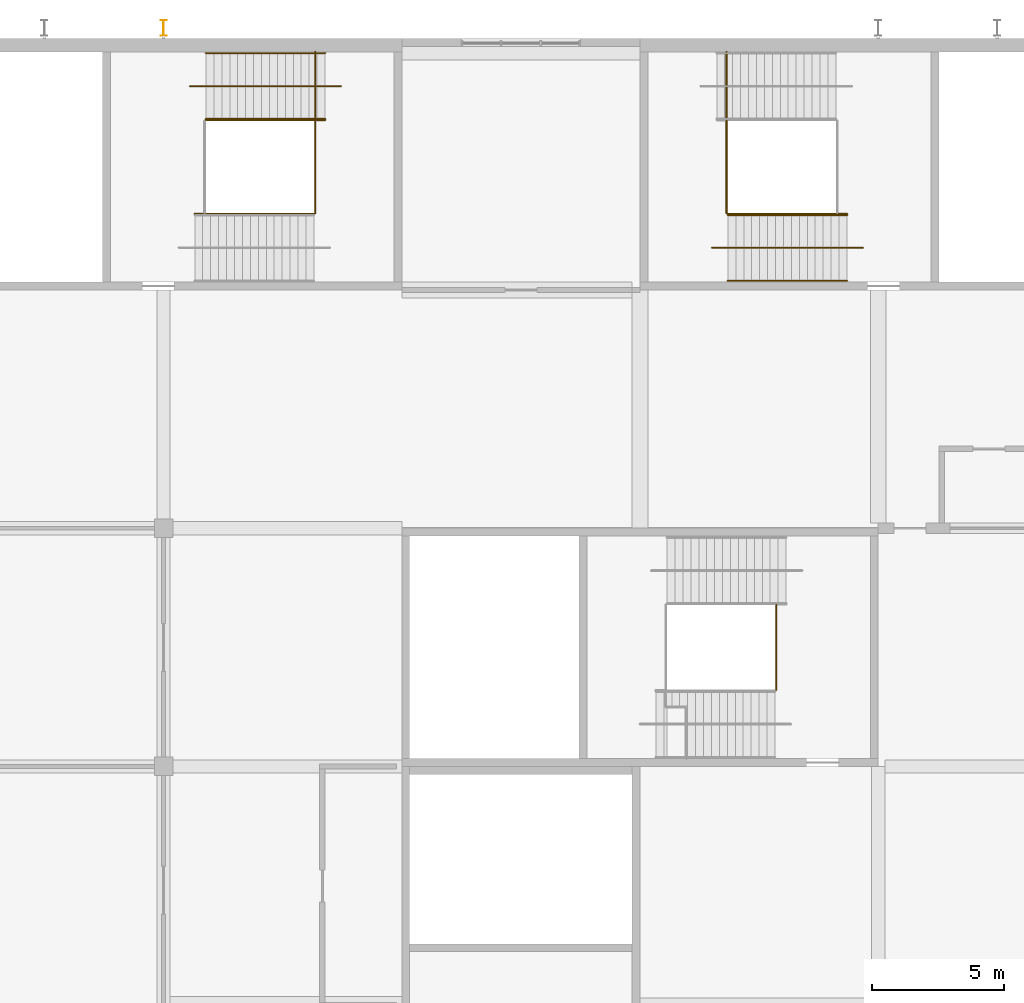
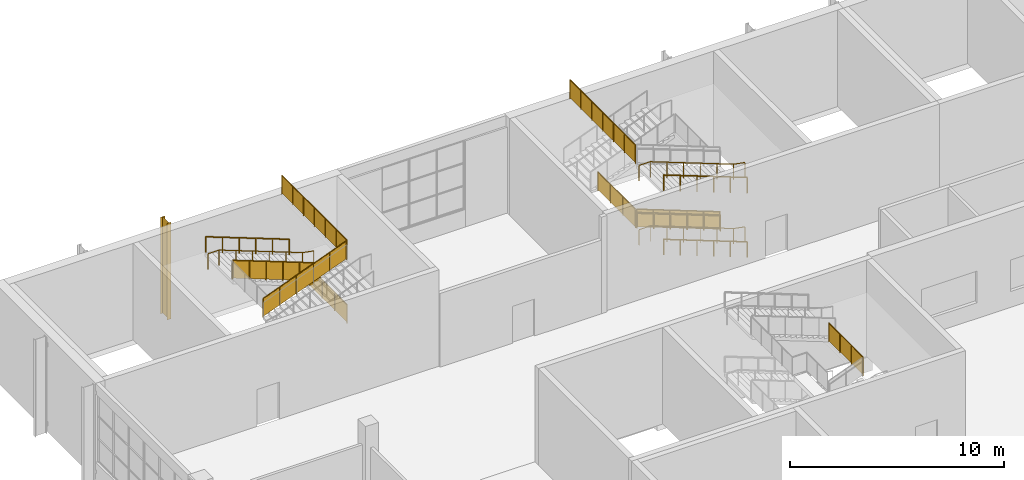
# One storey, part 72 of 84: 16 railings, 1 shading device.
"""IFC4 building model written with IfcOpenShell, lengths in metres."""

import ifcopenshell
import ifcopenshell.guid

model = None  # the IFC model being written
_history = None  # IfcOwnerHistory: only IFC2X3 demands one
_inside = {}  # id of a spatial element -> (the spatial element, [elements in it])
_under = {}  # id of a project, library or spatial element -> (it, [spatial elements below it])
_declared = {}  # id of a project -> (the project, [libraries it declares])
_typed = {}  # id of a type object -> (the type object, [elements of that type])
_made_of = {}  # id of a material, layer set ... -> (it, [elements and type objects made of it])


def new_model(schema):
    """Start an empty IFC model of exactly this schema.

    Asked for "IFC4X3", IfcOpenShell would pick the latest addendum, in which some entities
    have other attributes; the version numbers below select the first issue.
    IFC2X3 requires an IfcOwnerHistory on every rooted entity: one is made here for all.
    """
    global model, _history
    if schema == "IFC4X3":
        model = ifcopenshell.file(schema_version=(4, 3, 0, 0))
    else:
        model = ifcopenshell.file(schema=schema)
    _inside.clear()
    _under.clear()
    _declared.clear()
    _typed.clear()
    _made_of.clear()
    _history = None
    if model.schema == "IFC2X3":
        org = make("IfcOrganization", Name="unknown")
        user = make(
            "IfcPersonAndOrganization",
            ThePerson=make("IfcPerson", FamilyName="unknown"),
            TheOrganization=org,
        )
        app = make(
            "IfcApplication",
            ApplicationDeveloper=org,
            Version="unknown",
            ApplicationFullName="unknown",
            ApplicationIdentifier="unknown",
        )
        _history = make(
            "IfcOwnerHistory",
            OwningUser=user,
            OwningApplication=app,
            ChangeAction="ADDED",
            CreationDate=0,
        )
    return model


def make(cls, **values):
    """One entity of the class cls with the attributes given. An attribute that is None is left unset."""
    return model.create_entity(
        cls, **{name: value for name, value in values.items() if value is not None}
    )


def rooted(cls, **values):
    """An entity with a GlobalId (a new one), such as an element, a storey or a relation."""
    return make(cls, GlobalId=ifcopenshell.guid.new(), OwnerHistory=_history, **values)


def si_unit(unit_type, name, prefix=None):
    """IfcSIUnit, for example si_unit("LENGTHUNIT", "METRE", prefix="MILLI")."""
    return make("IfcSIUnit", UnitType=unit_type, Prefix=prefix, Name=name)


def assignment(units):
    """IfcUnitAssignment: the units of a project."""
    return None if units is None else make("IfcUnitAssignment", Units=units)


def point(xyz):
    """IfcCartesianPoint."""
    return None if xyz is None else make("IfcCartesianPoint", Coordinates=xyz)


def direction(xyz):
    """IfcDirection."""
    return None if xyz is None else make("IfcDirection", DirectionRatios=xyz)


def frame(location, z_axis=None, x_axis=None):
    """IfcAxis2Placement3D, a coordinate frame: its origin and axes. An axis left out is left unset."""
    return make(
        "IfcAxis2Placement3D",
        Location=point(location),
        Axis=direction(z_axis),
        RefDirection=direction(x_axis),
    )


def frame_2d(location, x_axis=None):
    """IfcAxis2Placement2D, a coordinate frame in the plane: its origin and x axis."""
    return make(
        "IfcAxis2Placement2D", Location=point(location), RefDirection=direction(x_axis)
    )


def origin():
    """The frame at (0, 0, 0) with its axes left unset."""
    return frame((0.0, 0.0, 0.0))


def origin_2d():
    """The frame at (0, 0) in the plane with its x axis left unset."""
    return frame_2d((0.0, 0.0))


def place(relative_to, where):
    """IfcLocalPlacement: puts the frame where relative to a parent placement (None: the world)."""
    return make(
        "IfcLocalPlacement", PlacementRelTo=relative_to, RelativePlacement=where
    )


def context(
    kind, dimensions, precision=None, world=None, true_north=None, identifier=None
):
    """IfcGeometricRepresentationContext, for example the 3D "Model" context."""
    return make(
        "IfcGeometricRepresentationContext",
        ContextIdentifier=identifier,
        ContextType=kind,
        CoordinateSpaceDimension=dimensions,
        Precision=precision,
        WorldCoordinateSystem=world,
        TrueNorth=true_north,
    )


def subcontext(parent, identifier, kind, view, scale=None):
    """IfcGeometricRepresentationSubContext, for example "Body" below "Model"."""
    return make(
        "IfcGeometricRepresentationSubContext",
        ContextIdentifier=identifier,
        ContextType=kind,
        ParentContext=parent,
        TargetScale=scale,
        TargetView=view,
    )


def project(units=None, contexts=None):
    """IfcProject with its units and contexts."""
    return rooted(
        "IfcProject",
        Name="project",
        RepresentationContexts=contexts,
        UnitsInContext=assignment(units),
    )


def spatial(cls, under=None, at=None, **own):
    """A site, building, storey or space (cls), placed at a placement, below another one or the project."""
    s = rooted(cls, ObjectPlacement=at, **own)
    if under is not None:
        _under.setdefault(under.id(), (under, []))[1].append(s)
    return s


def polyline(points):
    """IfcPolyline through the points."""
    return make("IfcPolyline", Points=[point(p) for p in points])


def profile(cls, at=None, kind="AREA", **sizes):
    """A parametric profile (cls). Its sizes go by their IFC names, for example OverallWidth=200.0."""
    return make(cls, ProfileType=kind, Position=at, **sizes)


def circle(**sizes):
    """IfcCircleProfileDef."""
    return profile("IfcCircleProfileDef", **sizes)


def i_section(**sizes):
    """IfcIShapeProfileDef."""
    return profile("IfcIShapeProfileDef", **sizes)


def outline(outer, holes=None, kind="AREA"):
    """IfcArbitraryClosedProfileDef: a profile drawn as a closed curve; with holes, ...WithVoids."""
    if holes is None:
        return make("IfcArbitraryClosedProfileDef", ProfileType=kind, OuterCurve=outer)
    return make(
        "IfcArbitraryProfileDefWithVoids",
        ProfileType=kind,
        OuterCurve=outer,
        InnerCurves=holes,
    )


def extrude(swept, where, along, depth):
    """IfcExtrudedAreaSolid: the profile swept, set in the frame where, extruded along a direction by depth."""
    return make(
        "IfcExtrudedAreaSolid",
        SweptArea=swept,
        Position=where,
        ExtrudedDirection=direction(along),
        Depth=depth,
    )


def shape(context_of_items, identifier, shape_type, items):
    """IfcShapeRepresentation: the items that make up one representation, for example the "Body"."""
    return make(
        "IfcShapeRepresentation",
        ContextOfItems=context_of_items,
        RepresentationIdentifier=identifier,
        RepresentationType=shape_type,
        Items=items,
    )


def material(Name=None, Category=None):
    """IfcMaterial."""
    return make("IfcMaterial", Name=Name, Category=Category)


def material_profile(
    of_material, cross_section, Name=None, Category=None, Priority=None
):
    """IfcMaterialProfile: a cross section and its material."""
    return make(
        "IfcMaterialProfile",
        Name=Name,
        Material=of_material,
        Profile=cross_section,
        Priority=Priority,
        Category=Category,
    )


def profile_set(profiles, Name=None, composite=None):
    """IfcMaterialProfileSet."""
    return make(
        "IfcMaterialProfileSet",
        Name=Name,
        MaterialProfiles=profiles,
        CompositeProfile=composite,
    )


def made_of(thing, what):
    """Note that an element or type object is made of a material, layer set ...; save() writes the relation."""
    if what is not None:
        _made_of.setdefault(what.id(), (what, []))[1].append(thing)
    return thing


def type_object(cls, material=None, **own):
    """A type object (cls), such as IfcWallType, which elements share."""
    return made_of(rooted(cls, **own), material)


def element(
    cls,
    number,
    at=None,
    inside=None,
    cuts=None,
    type_object=None,
    material=None,
    context=None,
    identifier="Body",
    shape_type=None,
    held_by="IfcProductDefinitionShape",
    body=None,
    shapes=None,
    **own,
):
    """One element of the class cls, such as IfcWall. Its Tag is "e" and its number.

    at: its placement. inside: the storey or other place that contains it. cuts: it is an
    opening in that element (IfcRelVoidsElement). A single representation is given by context,
    identifier, shape_type and body (its items); several are given by shapes. held_by: the class
    of the entity that holds the representations. save() writes the other relations.
    """
    e = rooted(cls, Tag="e%d" % number, ObjectPlacement=at, **own)
    if body is not None:
        shapes = [shape(context, identifier, shape_type, body)]
    if shapes is not None:
        e.Representation = make(held_by, Representations=shapes)
    if inside is not None:
        _inside.setdefault(inside.id(), (inside, []))[1].append(e)
    if cuts is not None:
        rooted(
            "IfcRelVoidsElement", RelatingBuildingElement=cuts, RelatedOpeningElement=e
        )
    if type_object is not None:
        _typed.setdefault(type_object.id(), (type_object, []))[1].append(e)
    return made_of(e, material)


def aggregate(whole, parts):
    """IfcRelAggregates: a whole, such as a stair, and the parts it consists of."""
    return rooted("IfcRelAggregates", RelatingObject=whole, RelatedObjects=parts)


def save(model, path):
    """Write the relations noted so far, then the file.

    IfcRelAggregates (storeys below a building ...), IfcRelContainedInSpatialStructure (elements
    in a storey), IfcRelDefinesByType, IfcRelAssociatesMaterial and IfcRelDeclares: one each for
    every whole, place, type object, material and project.
    """
    for whole, parts in _under.values():
        aggregate(whole, parts)
    for where, things in _inside.values():
        rooted(
            "IfcRelContainedInSpatialStructure",
            RelatedElements=things,
            RelatingStructure=where,
        )
    for kind, things in _typed.values():
        rooted("IfcRelDefinesByType", RelatedObjects=things, RelatingType=kind)
    for what, things in _made_of.values():
        rooted("IfcRelAssociatesMaterial", RelatedObjects=things, RelatingMaterial=what)
    for by, libraries in _declared.values():
        rooted("IfcRelDeclares", RelatingContext=by, RelatedDefinitions=libraries)
    model.write(path)


model = new_model("IFC4")

# Units and contexts
model_context = context("Model", 3, precision=1e-05, world=origin(), true_north=direction((0.0, 1.0)))
body_context = subcontext(model_context, "Body", "Model", "MODEL_VIEW")
ifc_project = project(units=[si_unit("LENGTHUNIT", "METRE"), si_unit("AREAUNIT", "SQUARE_METRE"), si_unit("VOLUMEUNIT", "CUBIC_METRE"), si_unit("PLANEANGLEUNIT", "RADIAN"), si_unit("MASSUNIT", "GRAM", prefix="KILO")], contexts=[model_context])

# Site, building, storey
site_placement = place(None, origin())
site = spatial("IfcSite", under=ifc_project, at=site_placement, CompositionType="ELEMENT")
building_placement = place(site_placement, origin())
building = spatial("IfcBuilding", under=site, at=building_placement, Name="Silverbay Arena", CompositionType="ELEMENT")
storey_placement = place(building_placement, frame((0.0, 0.0, 28.0)))
storey = spatial("IfcBuildingStorey", under=building, at=storey_placement, Name="L04", CompositionType="ELEMENT", Elevation=28.0)

# Railings
ifc_material_1 = material(Name="Stainless steel", Category="steel")
railing_type_1 = type_object("IfcRailingType", Name="Stair guard 1100", PredefinedType="GUARDRAIL", material=ifc_material_1)
railing_1_placement = place(storey_placement, frame((88.8203125, 137.875, 0.114501953125)))
element("IfcRailing", 1, at=railing_1_placement, inside=storey, type_object=railing_type_1, Name="Stair ST-N1 L04 to L05 flight 1 guard right", PredefinedType="GUARDRAIL", context=body_context, shape_type="SweptSolid", body=[
    extrude(circle(Radius=0.02392578125, at=origin_2d()), frame((0.0, 0.0, 1.076171875), z_axis=(-0.93417907455, 0.0, 0.356804507641), x_axis=(0.0, -1.0, 0.0)), (0.0, 0.0, 1.0), 4.817138671875),
    extrude(outline(polyline([(-0.008056640625, 0.046875), (0.907958984375, 0.396728515625), (0.907958984375, 1.39990234375), (-0.008056640625, 1.050048828125), (-0.008056640625, 0.046875)])), frame((0.0, -0.0029296875, 0.0), z_axis=(0.0, 1.0, 0.0), x_axis=(-1.0, 0.0, 0.0)), (0.0, 0.0, 1.0), 0.006103515625),
    extrude(outline(polyline([(-0.008056640625, 0.390625), (0.907958984375, 0.740478515625), (0.907958984375, 1.74365234375), (-0.008056640625, 1.393798828125), (-0.008056640625, 0.390625)])), frame((-0.89990234375, -0.0029296875, 0.0), z_axis=(0.0, 1.0, 0.0), x_axis=(-1.0, 0.0, 0.0)), (0.0, 0.0, 1.0), 0.006103515625),
    extrude(outline(polyline([(-0.008056640625, 0.734375), (0.907958984375, 1.084228515625), (0.907958984375, 2.08740234375), (-0.008056640625, 1.737548828125), (-0.008056640625, 0.734375)])), frame((-1.800048828125, -0.0029296875, 0.0), z_axis=(0.0, 1.0, 0.0), x_axis=(-1.0, 0.0, 0.0)), (0.0, 0.0, 1.0), 0.006103515625),
    extrude(outline(polyline([(-0.008056640625, 1.078125), (0.907958984375, 1.427978515625), (0.907958984375, 2.43115234375), (-0.008056640625, 2.081298828125), (-0.008056640625, 1.078125)])), frame((-2.699951171875, -0.0029296875, 0.0), z_axis=(0.0, 1.0, 0.0), x_axis=(-1.0, 0.0, 0.0)), (0.0, 0.0, 1.0), 0.006103515625),
    extrude(outline(polyline([(-0.008056640625, 1.421875), (0.907958984375, 1.771728515625), (0.907958984375, 2.77490234375), (-0.008056640625, 2.425048828125), (-0.008056640625, 1.421875)])), frame((-3.60009765625, -0.0029296875, 0.0), z_axis=(0.0, 1.0, 0.0), x_axis=(-1.0, 0.0, 0.0)), (0.0, 0.0, 1.0), 0.006103515625),
    extrude(circle(Radius=0.02099609375, at=origin_2d()), origin(), (0.0, 0.0, 1.0), 1.052001953125),
    extrude(circle(Radius=0.02099609375, at=origin_2d()), frame((-0.89990234375, 0.0, 0.34375)), (0.0, 0.0, 1.0), 1.052001953125),
    extrude(circle(Radius=0.02099609375, at=origin_2d()), frame((-1.800048828125, 0.0, 0.6875)), (0.0, 0.0, 1.0), 1.052001953125),
    extrude(circle(Radius=0.02099609375, at=origin_2d()), frame((-2.699951171875, 0.0, 1.03125)), (0.0, 0.0, 1.0), 1.052001953125),
    extrude(circle(Radius=0.02099609375, at=origin_2d()), frame((-3.60009765625, 0.0, 1.375)), (0.0, 0.0, 1.0), 1.052001953125),
    extrude(circle(Radius=0.02099609375, at=origin_2d()), frame((-4.5, 0.0, 1.71875)), (0.0, 0.0, 1.0), 1.052001953125),
])
railing_2_placement = place(storey_placement, frame((84.2705078125, 137.89990234375, 1.833251953125)))
element("IfcRailing", 2, at=railing_2_placement, inside=storey, type_object=railing_type_1, Name="Stair ST-N1 L04 to L05 landing 1 guard", PredefinedType="GUARDRAIL", context=body_context, shape_type="SweptSolid", body=[
    extrude(circle(Radius=0.02392578125, at=origin_2d()), frame((0.0, 0.0, 1.076171875), z_axis=(0.0, 1.0, 0.0), x_axis=(-1.0, 0.0, 0.0)), (0.0, 0.0, 1.0), 3.5),
    extrude(outline(polyline([(-0.008056640625, 0.050048828125), (1.174560546875, 0.050048828125), (1.174560546875, 1.052978515625), (-0.008056640625, 1.052978515625), (-0.008056640625, 0.050048828125)])), frame((-0.0029296875, 0.0, 0.0), z_axis=(1.0, 0.0, 0.0), x_axis=(0.0, 1.0, 0.0)), (0.0, 0.0, 1.0), 0.006103515625),
    extrude(outline(polyline([(-0.008056640625, 0.050048828125), (1.174560546875, 0.050048828125), (1.174560546875, 1.052978515625), (-0.008056640625, 1.052978515625), (-0.008056640625, 0.050048828125)])), frame((-0.0029296875, 1.166748046875, 0.0), z_axis=(1.0, 0.0, 0.0), x_axis=(0.0, 1.0, 0.0)), (0.0, 0.0, 1.0), 0.006103515625),
    extrude(outline(polyline([(-0.008056640625, 0.050048828125), (1.174560546875, 0.050048828125), (1.174560546875, 1.052978515625), (-0.008056640625, 1.052978515625), (-0.008056640625, 0.050048828125)])), frame((-0.0029296875, 2.333251953125, 0.0), z_axis=(1.0, 0.0, 0.0), x_axis=(0.0, 1.0, 0.0)), (0.0, 0.0, 1.0), 0.006103515625),
    extrude(circle(Radius=0.02099609375, at=origin_2d()), origin(), (0.0, 0.0, 1.0), 1.052001953125),
    extrude(circle(Radius=0.02099609375, at=origin_2d()), frame((0.0, 1.166748046875, 0.0)), (0.0, 0.0, 1.0), 1.052001953125),
    extrude(circle(Radius=0.02099609375, at=origin_2d()), frame((0.0, 2.333251953125, 0.0)), (0.0, 0.0, 1.0), 1.052001953125),
    extrude(circle(Radius=0.02099609375, at=origin_2d()), frame((0.0, 3.5, 0.0)), (0.0, 0.0, 1.0), 1.052001953125),
])
railing_3_placement = place(storey_placement, frame((84.2705078125, 137.89990234375, 5.5)))
element("IfcRailing", 3, at=railing_3_placement, inside=storey, type_object=railing_type_1, Name="Stair ST-N1 L04 to L05 landing 3 guard", PredefinedType="GUARDRAIL", context=body_context, shape_type="SweptSolid", body=[
    extrude(circle(Radius=0.02392578125, at=origin_2d()), frame((0.0, 0.0, 1.076171875), z_axis=(0.0, 1.0, 0.0), x_axis=(-1.0, 0.0, 0.0)), (0.0, 0.0, 1.0), 6.10009765625),
    extrude(outline(polyline([(-0.008056640625, 0.050048828125), (1.024658203125, 0.050048828125), (1.024658203125, 1.052978515625), (-0.008056640625, 1.052978515625), (-0.008056640625, 0.050048828125)])), frame((-0.0029296875, 0.0, 0.0), z_axis=(1.0, 0.0, 0.0), x_axis=(0.0, 1.0, 0.0)), (0.0, 0.0, 1.0), 0.006103515625),
    extrude(outline(polyline([(-0.008056640625, 0.050048828125), (1.024658203125, 0.050048828125), (1.024658203125, 1.052978515625), (-0.008056640625, 1.052978515625), (-0.008056640625, 0.050048828125)])), frame((-0.0029296875, 1.0166015625, 0.0), z_axis=(1.0, 0.0, 0.0), x_axis=(0.0, 1.0, 0.0)), (0.0, 0.0, 1.0), 0.006103515625),
    extrude(outline(polyline([(-0.008056640625, 0.050048828125), (1.024658203125, 0.050048828125), (1.024658203125, 1.052978515625), (-0.008056640625, 1.052978515625), (-0.008056640625, 0.050048828125)])), frame((-0.0029296875, 2.033447265625, 0.0), z_axis=(1.0, 0.0, 0.0), x_axis=(0.0, 1.0, 0.0)), (0.0, 0.0, 1.0), 0.006103515625),
    extrude(outline(polyline([(-0.008056640625, 0.050048828125), (1.024658203125, 0.050048828125), (1.024658203125, 1.052978515625), (-0.008056640625, 1.052978515625), (-0.008056640625, 0.050048828125)])), frame((-0.0029296875, 3.050048828125, 0.0), z_axis=(1.0, 0.0, 0.0), x_axis=(0.0, 1.0, 0.0)), (0.0, 0.0, 1.0), 0.006103515625),
    extrude(outline(polyline([(-0.008056640625, 0.050048828125), (1.024658203125, 0.050048828125), (1.024658203125, 1.052978515625), (-0.008056640625, 1.052978515625), (-0.008056640625, 0.050048828125)])), frame((-0.0029296875, 4.066650390625, 0.0), z_axis=(1.0, 0.0, 0.0), x_axis=(0.0, 1.0, 0.0)), (0.0, 0.0, 1.0), 0.006103515625),
    extrude(outline(polyline([(-0.008056640625, 0.050048828125), (1.024658203125, 0.050048828125), (1.024658203125, 1.052978515625), (-0.008056640625, 1.052978515625), (-0.008056640625, 0.050048828125)])), frame((-0.0029296875, 5.08349609375, 0.0), z_axis=(1.0, 0.0, 0.0), x_axis=(0.0, 1.0, 0.0)), (0.0, 0.0, 1.0), 0.006103515625),
    extrude(circle(Radius=0.02099609375, at=origin_2d()), origin(), (0.0, 0.0, 1.0), 1.052001953125),
    extrude(circle(Radius=0.02099609375, at=origin_2d()), frame((0.0, 1.0166015625, 0.0)), (0.0, 0.0, 1.0), 1.052001953125),
    extrude(circle(Radius=0.02099609375, at=origin_2d()), frame((0.0, 2.033447265625, 0.0)), (0.0, 0.0, 1.0), 1.052001953125),
    extrude(circle(Radius=0.02099609375, at=origin_2d()), frame((0.0, 3.050048828125, 0.0)), (0.0, 0.0, 1.0), 1.052001953125),
    extrude(circle(Radius=0.02099609375, at=origin_2d()), frame((0.0, 4.066650390625, 0.0)), (0.0, 0.0, 1.0), 1.052001953125),
    extrude(circle(Radius=0.02099609375, at=origin_2d()), frame((0.0, 5.08349609375, 0.0)), (0.0, 0.0, 1.0), 1.052001953125),
    extrude(circle(Radius=0.02099609375, at=origin_2d()), frame((0.0, 6.10009765625, 0.0)), (0.0, 0.0, 1.0), 1.052001953125),
])
railing_4_placement = place(storey_placement, frame((69.10009765625, 141.425048828125, 1.947998046875)))
element("IfcRailing", 4, at=railing_4_placement, inside=storey, type_object=railing_type_1, Name="Stair ST-N5 L04 to L05 flight 2 guard left", PredefinedType="GUARDRAIL", context=body_context, shape_type="SweptSolid", body=[
    extrude(circle(Radius=0.02392578125, at=origin_2d()), frame((0.0, 0.0, 1.076171875), z_axis=(-0.93417907455, 0.0, 0.356804507641), x_axis=(0.0, -1.0, 0.0)), (0.0, 0.0, 1.0), 4.817138671875),
    extrude(outline(polyline([(-0.008056640625, 0.046875), (0.907958984375, 0.396728515625), (0.907958984375, 1.39990234375), (-0.008056640625, 1.050048828125), (-0.008056640625, 0.046875)])), frame((0.0, -0.0029296875, 0.0), z_axis=(0.0, 1.0, 0.0), x_axis=(-1.0, 0.0, 0.0)), (0.0, 0.0, 1.0), 0.006103515625),
    extrude(outline(polyline([(-0.008056640625, 0.390625), (0.907958984375, 0.740478515625), (0.907958984375, 1.74365234375), (-0.008056640625, 1.393798828125), (-0.008056640625, 0.390625)])), frame((-0.89990234375, -0.0029296875, 0.0), z_axis=(0.0, 1.0, 0.0), x_axis=(-1.0, 0.0, 0.0)), (0.0, 0.0, 1.0), 0.006103515625),
    extrude(outline(polyline([(-0.008056640625, 0.734375), (0.907958984375, 1.084228515625), (0.907958984375, 2.08740234375), (-0.008056640625, 1.737548828125), (-0.008056640625, 0.734375)])), frame((-1.800048828125, -0.0029296875, 0.0), z_axis=(0.0, 1.0, 0.0), x_axis=(-1.0, 0.0, 0.0)), (0.0, 0.0, 1.0), 0.006103515625),
    extrude(outline(polyline([(-0.008056640625, 1.078125), (0.907958984375, 1.427978515625), (0.907958984375, 2.43115234375), (-0.008056640625, 2.081298828125), (-0.008056640625, 1.078125)])), frame((-2.699951171875, -0.0029296875, 0.0), z_axis=(0.0, 1.0, 0.0), x_axis=(-1.0, 0.0, 0.0)), (0.0, 0.0, 1.0), 0.006103515625),
    extrude(outline(polyline([(-0.008056640625, 1.421875), (0.907958984375, 1.771728515625), (0.907958984375, 2.77490234375), (-0.008056640625, 2.425048828125), (-0.008056640625, 1.421875)])), frame((-3.60009765625, -0.0029296875, 0.0), z_axis=(0.0, 1.0, 0.0), x_axis=(-1.0, 0.0, 0.0)), (0.0, 0.0, 1.0), 0.006103515625),
    extrude(circle(Radius=0.02099609375, at=origin_2d()), origin(), (0.0, 0.0, 1.0), 1.052001953125),
    extrude(circle(Radius=0.02099609375, at=origin_2d()), frame((-0.89990234375, 0.0, 0.34375)), (0.0, 0.0, 1.0), 1.052001953125),
    extrude(circle(Radius=0.02099609375, at=origin_2d()), frame((-1.800048828125, 0.0, 0.6875)), (0.0, 0.0, 1.0), 1.052001953125),
    extrude(circle(Radius=0.02099609375, at=origin_2d()), frame((-2.699951171875, 0.0, 1.03125)), (0.0, 0.0, 1.0), 1.052001953125),
    extrude(circle(Radius=0.02099609375, at=origin_2d()), frame((-3.60009765625, 0.0, 1.375)), (0.0, 0.0, 1.0), 1.052001953125),
    extrude(circle(Radius=0.02099609375, at=origin_2d()), frame((-4.5, 0.0, 1.71875)), (0.0, 0.0, 1.0), 1.052001953125),
])
railing_5_placement = place(storey_placement, frame((64.1796875, 137.875, 3.78125)))
element("IfcRailing", 5, at=railing_5_placement, inside=storey, type_object=railing_type_1, Name="Stair ST-N5 L04 to L05 flight 3 guard right", PredefinedType="GUARDRAIL", context=body_context, shape_type="SweptSolid", body=[
    extrude(circle(Radius=0.02392578125, at=origin_2d()), frame((0.0, 0.0, 1.076171875), z_axis=(0.93417907455, 0.0, 0.356804507641), x_axis=(0.0, 1.0, 0.0)), (0.0, 0.0, 1.0), 4.817138671875),
    extrude(outline(polyline([(-0.008056640625, 0.046875), (0.907958984375, 0.396728515625), (0.907958984375, 1.39990234375), (-0.008056640625, 1.050048828125), (-0.008056640625, 0.046875)])), frame((0.0, 0.0029296875, 0.0), z_axis=(0.0, -1.0, 0.0), x_axis=(1.0, 0.0, 0.0)), (0.0, 0.0, 1.0), 0.006103515625),
    extrude(outline(polyline([(-0.008056640625, 0.390625), (0.907958984375, 0.740478515625), (0.907958984375, 1.74365234375), (-0.008056640625, 1.393798828125), (-0.008056640625, 0.390625)])), frame((0.89990234375, 0.0029296875, 0.0), z_axis=(0.0, -1.0, 0.0), x_axis=(1.0, 0.0, 0.0)), (0.0, 0.0, 1.0), 0.006103515625),
    extrude(outline(polyline([(-0.008056640625, 0.734375), (0.907958984375, 1.084228515625), (0.907958984375, 2.08740234375), (-0.008056640625, 1.737548828125), (-0.008056640625, 0.734375)])), frame((1.800048828125, 0.0029296875, 0.0), z_axis=(0.0, -1.0, 0.0), x_axis=(1.0, 0.0, 0.0)), (0.0, 0.0, 1.0), 0.006103515625),
    extrude(outline(polyline([(-0.008056640625, 1.078125), (0.907958984375, 1.427978515625), (0.907958984375, 2.43115234375), (-0.008056640625, 2.081298828125), (-0.008056640625, 1.078125)])), frame((2.699951171875, 0.0029296875, 0.0), z_axis=(0.0, -1.0, 0.0), x_axis=(1.0, 0.0, 0.0)), (0.0, 0.0, 1.0), 0.006103515625),
    extrude(outline(polyline([(-0.008056640625, 1.421875), (0.907958984375, 1.771728515625), (0.907958984375, 2.77490234375), (-0.008056640625, 2.425048828125), (-0.008056640625, 1.421875)])), frame((3.60009765625, 0.0029296875, 0.0), z_axis=(0.0, -1.0, 0.0), x_axis=(1.0, 0.0, 0.0)), (0.0, 0.0, 1.0), 0.006103515625),
    extrude(circle(Radius=0.02099609375, at=origin_2d()), origin(), (0.0, 0.0, 1.0), 1.052001953125),
    extrude(circle(Radius=0.02099609375, at=origin_2d()), frame((0.89990234375, 0.0, 0.34375)), (0.0, 0.0, 1.0), 1.052001953125),
    extrude(circle(Radius=0.02099609375, at=origin_2d()), frame((1.800048828125, 0.0, 0.6875)), (0.0, 0.0, 1.0), 1.052001953125),
    extrude(circle(Radius=0.02099609375, at=origin_2d()), frame((2.699951171875, 0.0, 1.03125)), (0.0, 0.0, 1.0), 1.052001953125),
    extrude(circle(Radius=0.02099609375, at=origin_2d()), frame((3.60009765625, 0.0, 1.375)), (0.0, 0.0, 1.0), 1.052001953125),
    extrude(circle(Radius=0.02099609375, at=origin_2d()), frame((4.5, 0.0, 1.71875)), (0.0, 0.0, 1.0), 1.052001953125),
])
railing_6_placement = place(storey_placement, frame((68.7294921875, 137.89990234375, 1.833251953125)))
element("IfcRailing", 6, at=railing_6_placement, inside=storey, type_object=railing_type_1, Name="Stair ST-N5 L04 to L05 landing 1 guard", PredefinedType="GUARDRAIL", context=body_context, shape_type="SweptSolid", body=[
    extrude(circle(Radius=0.02392578125, at=origin_2d()), frame((0.0, 0.0, 1.076171875), z_axis=(0.0, 1.0, 0.0), x_axis=(-1.0, 0.0, 0.0)), (0.0, 0.0, 1.0), 3.5),
    extrude(outline(polyline([(-0.008056640625, 0.050048828125), (1.174560546875, 0.050048828125), (1.174560546875, 1.052978515625), (-0.008056640625, 1.052978515625), (-0.008056640625, 0.050048828125)])), frame((-0.0029296875, 0.0, 0.0), z_axis=(1.0, 0.0, 0.0), x_axis=(0.0, 1.0, 0.0)), (0.0, 0.0, 1.0), 0.006103515625),
    extrude(outline(polyline([(-0.008056640625, 0.050048828125), (1.174560546875, 0.050048828125), (1.174560546875, 1.052978515625), (-0.008056640625, 1.052978515625), (-0.008056640625, 0.050048828125)])), frame((-0.0029296875, 1.166748046875, 0.0), z_axis=(1.0, 0.0, 0.0), x_axis=(0.0, 1.0, 0.0)), (0.0, 0.0, 1.0), 0.006103515625),
    extrude(outline(polyline([(-0.008056640625, 0.050048828125), (1.174560546875, 0.050048828125), (1.174560546875, 1.052978515625), (-0.008056640625, 1.052978515625), (-0.008056640625, 0.050048828125)])), frame((-0.0029296875, 2.333251953125, 0.0), z_axis=(1.0, 0.0, 0.0), x_axis=(0.0, 1.0, 0.0)), (0.0, 0.0, 1.0), 0.006103515625),
    extrude(circle(Radius=0.02099609375, at=origin_2d()), origin(), (0.0, 0.0, 1.0), 1.052001953125),
    extrude(circle(Radius=0.02099609375, at=origin_2d()), frame((0.0, 1.166748046875, 0.0)), (0.0, 0.0, 1.0), 1.052001953125),
    extrude(circle(Radius=0.02099609375, at=origin_2d()), frame((0.0, 2.333251953125, 0.0)), (0.0, 0.0, 1.0), 1.052001953125),
    extrude(circle(Radius=0.02099609375, at=origin_2d()), frame((0.0, 3.5, 0.0)), (0.0, 0.0, 1.0), 1.052001953125),
])
railing_7_placement = place(storey_placement, frame((68.7294921875, 137.89990234375, 5.5)))
element("IfcRailing", 7, at=railing_7_placement, inside=storey, type_object=railing_type_1, Name="Stair ST-N5 L04 to L05 landing 3 guard", PredefinedType="GUARDRAIL", context=body_context, shape_type="SweptSolid", body=[
    extrude(circle(Radius=0.02392578125, at=origin_2d()), frame((0.0, 0.0, 1.076171875), z_axis=(0.0, 1.0, 0.0), x_axis=(-1.0, 0.0, 0.0)), (0.0, 0.0, 1.0), 6.10009765625),
    extrude(outline(polyline([(-0.008056640625, 0.050048828125), (1.024658203125, 0.050048828125), (1.024658203125, 1.052978515625), (-0.008056640625, 1.052978515625), (-0.008056640625, 0.050048828125)])), frame((-0.0029296875, 0.0, 0.0), z_axis=(1.0, 0.0, 0.0), x_axis=(0.0, 1.0, 0.0)), (0.0, 0.0, 1.0), 0.006103515625),
    extrude(outline(polyline([(-0.008056640625, 0.050048828125), (1.024658203125, 0.050048828125), (1.024658203125, 1.052978515625), (-0.008056640625, 1.052978515625), (-0.008056640625, 0.050048828125)])), frame((-0.0029296875, 1.0166015625, 0.0), z_axis=(1.0, 0.0, 0.0), x_axis=(0.0, 1.0, 0.0)), (0.0, 0.0, 1.0), 0.006103515625),
    extrude(outline(polyline([(-0.008056640625, 0.050048828125), (1.024658203125, 0.050048828125), (1.024658203125, 1.052978515625), (-0.008056640625, 1.052978515625), (-0.008056640625, 0.050048828125)])), frame((-0.0029296875, 2.033447265625, 0.0), z_axis=(1.0, 0.0, 0.0), x_axis=(0.0, 1.0, 0.0)), (0.0, 0.0, 1.0), 0.006103515625),
    extrude(outline(polyline([(-0.008056640625, 0.050048828125), (1.024658203125, 0.050048828125), (1.024658203125, 1.052978515625), (-0.008056640625, 1.052978515625), (-0.008056640625, 0.050048828125)])), frame((-0.0029296875, 3.050048828125, 0.0), z_axis=(1.0, 0.0, 0.0), x_axis=(0.0, 1.0, 0.0)), (0.0, 0.0, 1.0), 0.006103515625),
    extrude(outline(polyline([(-0.008056640625, 0.050048828125), (1.024658203125, 0.050048828125), (1.024658203125, 1.052978515625), (-0.008056640625, 1.052978515625), (-0.008056640625, 0.050048828125)])), frame((-0.0029296875, 4.066650390625, 0.0), z_axis=(1.0, 0.0, 0.0), x_axis=(0.0, 1.0, 0.0)), (0.0, 0.0, 1.0), 0.006103515625),
    extrude(outline(polyline([(-0.008056640625, 0.050048828125), (1.024658203125, 0.050048828125), (1.024658203125, 1.052978515625), (-0.008056640625, 1.052978515625), (-0.008056640625, 0.050048828125)])), frame((-0.0029296875, 5.08349609375, 0.0), z_axis=(1.0, 0.0, 0.0), x_axis=(0.0, 1.0, 0.0)), (0.0, 0.0, 1.0), 0.006103515625),
    extrude(circle(Radius=0.02099609375, at=origin_2d()), origin(), (0.0, 0.0, 1.0), 1.052001953125),
    extrude(circle(Radius=0.02099609375, at=origin_2d()), frame((0.0, 1.0166015625, 0.0)), (0.0, 0.0, 1.0), 1.052001953125),
    extrude(circle(Radius=0.02099609375, at=origin_2d()), frame((0.0, 2.033447265625, 0.0)), (0.0, 0.0, 1.0), 1.052001953125),
    extrude(circle(Radius=0.02099609375, at=origin_2d()), frame((0.0, 3.050048828125, 0.0)), (0.0, 0.0, 1.0), 1.052001953125),
    extrude(circle(Radius=0.02099609375, at=origin_2d()), frame((0.0, 4.066650390625, 0.0)), (0.0, 0.0, 1.0), 1.052001953125),
    extrude(circle(Radius=0.02099609375, at=origin_2d()), frame((0.0, 5.08349609375, 0.0)), (0.0, 0.0, 1.0), 1.052001953125),
    extrude(circle(Radius=0.02099609375, at=origin_2d()), frame((0.0, 6.10009765625, 0.0)), (0.0, 0.0, 1.0), 1.052001953125),
])
railing_8_placement = place(storey_placement, frame((86.14990234375, 119.89990234375, 3.666748046875)))
element("IfcRailing", 8, at=railing_8_placement, inside=storey, type_object=railing_type_1, Name="Stair ST-NW1 L04 to L05 landing 2 guard", PredefinedType="GUARDRAIL", context=body_context, shape_type="SweptSolid", body=[
    extrude(circle(Radius=0.02392578125, at=origin_2d()), frame((0.0, 0.0, 1.076171875), z_axis=(0.0, 1.0, 0.0), x_axis=(-1.0, 0.0, 0.0)), (0.0, 0.0, 1.0), 3.2001953125),
    extrude(outline(polyline([(-0.008056640625, 0.050048828125), (1.07470703125, 0.050048828125), (1.07470703125, 1.052978515625), (-0.008056640625, 1.052978515625), (-0.008056640625, 0.050048828125)])), frame((-0.0029296875, 0.0, 0.0), z_axis=(1.0, 0.0, 0.0), x_axis=(0.0, 1.0, 0.0)), (0.0, 0.0, 1.0), 0.006103515625),
    extrude(outline(polyline([(-0.008056640625, 0.050048828125), (1.07470703125, 0.050048828125), (1.07470703125, 1.052978515625), (-0.008056640625, 1.052978515625), (-0.008056640625, 0.050048828125)])), frame((-0.0029296875, 1.066650390625, 0.0), z_axis=(1.0, 0.0, 0.0), x_axis=(0.0, 1.0, 0.0)), (0.0, 0.0, 1.0), 0.006103515625),
    extrude(outline(polyline([(-0.008056640625, 0.050048828125), (1.07470703125, 0.050048828125), (1.07470703125, 1.052978515625), (-0.008056640625, 1.052978515625), (-0.008056640625, 0.050048828125)])), frame((-0.0029296875, 2.133544921875, 0.0), z_axis=(1.0, 0.0, 0.0), x_axis=(0.0, 1.0, 0.0)), (0.0, 0.0, 1.0), 0.006103515625),
    extrude(circle(Radius=0.02099609375, at=origin_2d()), origin(), (0.0, 0.0, 1.0), 1.052001953125),
    extrude(circle(Radius=0.02099609375, at=origin_2d()), frame((0.0, 1.066650390625, 0.0)), (0.0, 0.0, 1.0), 1.052001953125),
    extrude(circle(Radius=0.02099609375, at=origin_2d()), frame((0.0, 2.133544921875, 0.0)), (0.0, 0.0, 1.0), 1.052001953125),
    extrude(circle(Radius=0.02099609375, at=origin_2d()), frame((0.0, 3.2001953125, 0.0)), (0.0, 0.0, 1.0), 1.052001953125),
])
ifc_material_2 = material(Name="Stainless steel", Category="steel")
railing_type_2 = type_object("IfcRailingType", Name="Stair handrail 900", PredefinedType="HANDRAIL", material=ifc_material_2)
for number, where, name in (
    (9, (88.8203125, 135.35009765625, 0.114501953125), "Stair ST-N1 L04 to L05 flight 1 handrail left"),
    (10, (88.8203125, 137.8359375, 0.114501953125), "Stair ST-N1 L04 to L05 flight 1 handrail right"),
):
    element("IfcRailing", number, at=place(storey_placement, frame(where)), inside=storey, type_object=railing_type_2, Name=name, PredefinedType="HANDRAIL", context=body_context, shape_type="SweptSolid", body=[
        extrude(circle(Radius=0.02392578125, at=origin_2d()), frame((0.0, 0.0, 0.8759765625), z_axis=(-0.93417907455, 0.0, 0.356804507641), x_axis=(0.0, -1.0, 0.0)), (0.0, 0.0, 1.0), 4.817138671875),
        extrude(circle(Radius=0.02099609375, at=origin_2d()), origin(), (0.0, 0.0, 1.0), 0.851806640625),
        extrude(circle(Radius=0.02099609375, at=origin_2d()), frame((-0.89990234375, 0.0, 0.34375)), (0.0, 0.0, 1.0), 0.851806640625),
        extrude(circle(Radius=0.02099609375, at=origin_2d()), frame((-1.800048828125, 0.0, 0.6875)), (0.0, 0.0, 1.0), 0.851806640625),
        extrude(circle(Radius=0.02099609375, at=origin_2d()), frame((-2.699951171875, 0.0, 1.03125)), (0.0, 0.0, 1.0), 0.851806640625),
        extrude(circle(Radius=0.02099609375, at=origin_2d()), frame((-3.60009765625, 0.0, 1.375)), (0.0, 0.0, 1.0), 0.851806640625),
        extrude(circle(Radius=0.02099609375, at=origin_2d()), frame((-4.5, 0.0, 1.71875)), (0.0, 0.0, 1.0), 0.851806640625),
    ])
railing_9_placement = place(storey_placement, frame((89.42041015625, 136.60009765625, 0.0)))
element("IfcRailing", 11, at=railing_9_placement, inside=storey, type_object=railing_type_2, Name="Stair ST-N1 L04 to L05 flight 1 central handrail", PredefinedType="HANDRAIL", context=body_context, shape_type="SweptSolid", body=[
    extrude(circle(Radius=0.02392578125, at=origin_2d()), frame((0.0, 0.0, 0.8759765625), z_axis=(-0.982279053969, 0.0, 0.187424278402), x_axis=(0.0, -1.0, 0.0)), (0.0, 0.0, 1.0), 0.61083984375),
    extrude(circle(Radius=0.02392578125, at=origin_2d()), frame((-0.60009765625, 0.0, 0.990234375), z_axis=(-0.93417907455, 0.0, 0.356804507641), x_axis=(0.0, -1.0, 0.0)), (0.0, 0.0, 1.0), 4.817138671875),
    extrude(circle(Radius=0.02392578125, at=origin_2d()), frame((-5.10009765625, 0.0, 2.708984375), z_axis=(-1.0, 0.0, 0.0), x_axis=(0.0, -1.0, 0.0)), (0.0, 0.0, 1.0), 0.599853515625),
    extrude(circle(Radius=0.02099609375, at=origin_2d()), origin(), (0.0, 0.0, 1.0), 0.851806640625),
    extrude(circle(Radius=0.02099609375, at=origin_2d()), frame((-0.60009765625, 0.0, 0.114501953125)), (0.0, 0.0, 1.0), 0.851806640625),
    extrude(circle(Radius=0.02099609375, at=origin_2d()), frame((-1.5, 0.0, 0.458251953125)), (0.0, 0.0, 1.0), 0.851806640625),
    extrude(circle(Radius=0.02099609375, at=origin_2d()), frame((-2.400146484375, 0.0, 0.802001953125)), (0.0, 0.0, 1.0), 0.851806640625),
    extrude(circle(Radius=0.02099609375, at=origin_2d()), frame((-3.300048828125, 0.0, 1.145751953125)), (0.0, 0.0, 1.0), 0.851806640625),
    extrude(circle(Radius=0.02099609375, at=origin_2d()), frame((-4.2001953125, 0.0, 1.489501953125)), (0.0, 0.0, 1.0), 0.851806640625),
    extrude(circle(Radius=0.02099609375, at=origin_2d()), frame((-5.10009765625, 0.0, 1.833251953125)), (0.0, 0.0, 1.0), 0.851806640625),
    extrude(circle(Radius=0.02099609375, at=origin_2d()), frame((-5.699951171875, 0.0, 1.833251953125)), (0.0, 0.0, 1.0), 0.851806640625),
])
railing_10_placement = place(storey_placement, frame((88.8203125, 135.35009765625, 3.78125)))
element("IfcRailing", 12, at=railing_10_placement, inside=storey, type_object=railing_type_2, Name="Stair ST-N1 L04 to L05 flight 3 handrail left", PredefinedType="HANDRAIL", context=body_context, shape_type="SweptSolid", body=[
    extrude(circle(Radius=0.02392578125, at=origin_2d()), frame((0.0, 0.0, 0.8759765625), z_axis=(-0.93417907455, 0.0, 0.356804507641), x_axis=(0.0, -1.0, 0.0)), (0.0, 0.0, 1.0), 4.817138671875),
    extrude(circle(Radius=0.02099609375, at=origin_2d()), origin(), (0.0, 0.0, 1.0), 0.851806640625),
    extrude(circle(Radius=0.02099609375, at=origin_2d()), frame((-0.89990234375, 0.0, 0.34375)), (0.0, 0.0, 1.0), 0.851806640625),
    extrude(circle(Radius=0.02099609375, at=origin_2d()), frame((-1.800048828125, 0.0, 0.6875)), (0.0, 0.0, 1.0), 0.851806640625),
    extrude(circle(Radius=0.02099609375, at=origin_2d()), frame((-2.699951171875, 0.0, 1.03125)), (0.0, 0.0, 1.0), 0.851806640625),
    extrude(circle(Radius=0.02099609375, at=origin_2d()), frame((-3.60009765625, 0.0, 1.375)), (0.0, 0.0, 1.0), 0.851806640625),
    extrude(circle(Radius=0.02099609375, at=origin_2d()), frame((-4.5, 0.0, 1.71875)), (0.0, 0.0, 1.0), 0.851806640625),
])
railing_11_placement = place(storey_placement, frame((89.42041015625, 136.60009765625, 3.666748046875)))
element("IfcRailing", 13, at=railing_11_placement, inside=storey, type_object=railing_type_2, Name="Stair ST-N1 L04 to L05 flight 3 central handrail", PredefinedType="HANDRAIL", context=body_context, shape_type="SweptSolid", body=[
    extrude(circle(Radius=0.02392578125, at=origin_2d()), frame((0.0, 0.0, 0.8759765625), z_axis=(-0.982279053969, 0.0, 0.187424278402), x_axis=(0.0, -1.0, 0.0)), (0.0, 0.0, 1.0), 0.61083984375),
    extrude(circle(Radius=0.02392578125, at=origin_2d()), frame((-0.60009765625, 0.0, 0.990234375), z_axis=(-0.93417907455, 0.0, 0.356804507641), x_axis=(0.0, -1.0, 0.0)), (0.0, 0.0, 1.0), 4.817138671875),
    extrude(circle(Radius=0.02392578125, at=origin_2d()), frame((-5.10009765625, 0.0, 2.708984375), z_axis=(-1.0, 0.0, 0.0), x_axis=(0.0, -1.0, 0.0)), (0.0, 0.0, 1.0), 0.599853515625),
    extrude(circle(Radius=0.02099609375, at=origin_2d()), origin(), (0.0, 0.0, 1.0), 0.851806640625),
    extrude(circle(Radius=0.02099609375, at=origin_2d()), frame((-0.60009765625, 0.0, 0.114501953125)), (0.0, 0.0, 1.0), 0.851806640625),
    extrude(circle(Radius=0.02099609375, at=origin_2d()), frame((-1.5, 0.0, 0.458251953125)), (0.0, 0.0, 1.0), 0.851806640625),
    extrude(circle(Radius=0.02099609375, at=origin_2d()), frame((-2.400146484375, 0.0, 0.802001953125)), (0.0, 0.0, 1.0), 0.851806640625),
    extrude(circle(Radius=0.02099609375, at=origin_2d()), frame((-3.300048828125, 0.0, 1.145751953125)), (0.0, 0.0, 1.0), 0.851806640625),
    extrude(circle(Radius=0.02099609375, at=origin_2d()), frame((-4.2001953125, 0.0, 1.489501953125)), (0.0, 0.0, 1.0), 0.851806640625),
    extrude(circle(Radius=0.02099609375, at=origin_2d()), frame((-5.10009765625, 0.0, 1.833251953125)), (0.0, 0.0, 1.0), 0.851806640625),
    extrude(circle(Radius=0.02099609375, at=origin_2d()), frame((-5.699951171875, 0.0, 1.833251953125)), (0.0, 0.0, 1.0), 0.851806640625),
])
for number, where, name in (
    (14, (69.10009765625, 141.464111328125, 1.947998046875), "Stair ST-N5 L04 to L05 flight 2 handrail left"),
    (15, (69.10009765625, 143.949951171875, 1.947998046875), "Stair ST-N5 L04 to L05 flight 2 handrail right"),
):
    element("IfcRailing", number, at=place(storey_placement, frame(where)), inside=storey, type_object=railing_type_2, Name=name, PredefinedType="HANDRAIL", context=body_context, shape_type="SweptSolid", body=[
        extrude(circle(Radius=0.02392578125, at=origin_2d()), frame((0.0, 0.0, 0.8759765625), z_axis=(-0.93417907455, 0.0, 0.356804507641), x_axis=(0.0, -1.0, 0.0)), (0.0, 0.0, 1.0), 4.817138671875),
        extrude(circle(Radius=0.02099609375, at=origin_2d()), origin(), (0.0, 0.0, 1.0), 0.851806640625),
        extrude(circle(Radius=0.02099609375, at=origin_2d()), frame((-0.89990234375, 0.0, 0.34375)), (0.0, 0.0, 1.0), 0.851806640625),
        extrude(circle(Radius=0.02099609375, at=origin_2d()), frame((-1.800048828125, 0.0, 0.6875)), (0.0, 0.0, 1.0), 0.851806640625),
        extrude(circle(Radius=0.02099609375, at=origin_2d()), frame((-2.699951171875, 0.0, 1.03125)), (0.0, 0.0, 1.0), 0.851806640625),
        extrude(circle(Radius=0.02099609375, at=origin_2d()), frame((-3.60009765625, 0.0, 1.375)), (0.0, 0.0, 1.0), 0.851806640625),
        extrude(circle(Radius=0.02099609375, at=origin_2d()), frame((-4.5, 0.0, 1.71875)), (0.0, 0.0, 1.0), 0.851806640625),
    ])
railing_12_placement = place(storey_placement, frame((69.699951171875, 142.699951171875, 1.833251953125)))
element("IfcRailing", 16, at=railing_12_placement, inside=storey, type_object=railing_type_2, Name="Stair ST-N5 L04 to L05 flight 2 central handrail", PredefinedType="HANDRAIL", context=body_context, shape_type="SweptSolid", body=[
    extrude(circle(Radius=0.02392578125, at=origin_2d()), frame((0.0, 0.0, 0.8759765625), z_axis=(-0.982191308576, 0.0, 0.187883563301), x_axis=(0.0, -1.0, 0.0)), (0.0, 0.0, 1.0), 0.61083984375),
    extrude(circle(Radius=0.02392578125, at=origin_2d()), frame((-0.599853515625, 0.0, 0.99072265625), z_axis=(-0.93417907455, 0.0, 0.356804507641), x_axis=(0.0, -1.0, 0.0)), (0.0, 0.0, 1.0), 4.817138671875),
    extrude(circle(Radius=0.02392578125, at=origin_2d()), frame((-5.099853515625, 0.0, 2.70947265625), z_axis=(-1.0, 0.0, 0.0), x_axis=(0.0, -1.0, 0.0)), (0.0, 0.0, 1.0), 0.60009765625),
    extrude(circle(Radius=0.02099609375, at=origin_2d()), origin(), (0.0, 0.0, 1.0), 0.851806640625),
    extrude(circle(Radius=0.02099609375, at=origin_2d()), frame((-0.599853515625, 0.0, 0.11474609375)), (0.0, 0.0, 1.0), 0.851806640625),
    extrude(circle(Radius=0.02099609375, at=origin_2d()), frame((-1.499755859375, 0.0, 0.45849609375)), (0.0, 0.0, 1.0), 0.851806640625),
    extrude(circle(Radius=0.02099609375, at=origin_2d()), frame((-2.39990234375, 0.0, 0.80224609375)), (0.0, 0.0, 1.0), 0.851806640625),
    extrude(circle(Radius=0.02099609375, at=origin_2d()), frame((-3.2998046875, 0.0, 1.14599609375)), (0.0, 0.0, 1.0), 0.851806640625),
    extrude(circle(Radius=0.02099609375, at=origin_2d()), frame((-4.199951171875, 0.0, 1.48974609375)), (0.0, 0.0, 1.0), 0.851806640625),
    extrude(circle(Radius=0.02099609375, at=origin_2d()), frame((-5.099853515625, 0.0, 1.83349609375)), (0.0, 0.0, 1.0), 0.851806640625),
    extrude(circle(Radius=0.02099609375, at=origin_2d()), frame((-5.699951171875, 0.0, 1.83349609375)), (0.0, 0.0, 1.0), 0.851806640625),
])

# Shading device
ifc_material_3 = material(Name="Steel S355", Category="steel")
ifc_material_profile = material_profile(ifc_material_3, i_section(OverallWidth=0.2275390625, OverallDepth=0.6025390625, WebThickness=0.010498046875, FlangeThickness=0.014892578125, at=origin_2d()), Name="UB 610x229x101")
ifc_profile_set = profile_set([ifc_material_profile], Name="Steel S355")
shading_device_type = type_object("IfcShadingDeviceType", Name="Steel fin UB 610x229x101", PredefinedType="USERDEFINED", material=ifc_profile_set)
shading_device_placement = place(storey_placement, frame((63.0, 144.9013671875, 0.0), z_axis=(0.0, 0.0, 1.0), x_axis=(1.0, 0.0, 0.0)))
element("IfcShadingDevice", 17, at=shading_device_placement, inside=storey, type_object=shading_device_type, Name="Steel fin N L04 2", ObjectType="FIN", PredefinedType="USERDEFINED", context=body_context, shape_type="SweptSolid", body=[
    extrude(i_section(OverallWidth=0.2275390625, OverallDepth=0.6025390625, WebThickness=0.010498046875, FlangeThickness=0.014892578125, at=origin_2d()), origin(), (0.0, 0.0, 1.0), 5.5),
])

save(model, "model.ifc")
